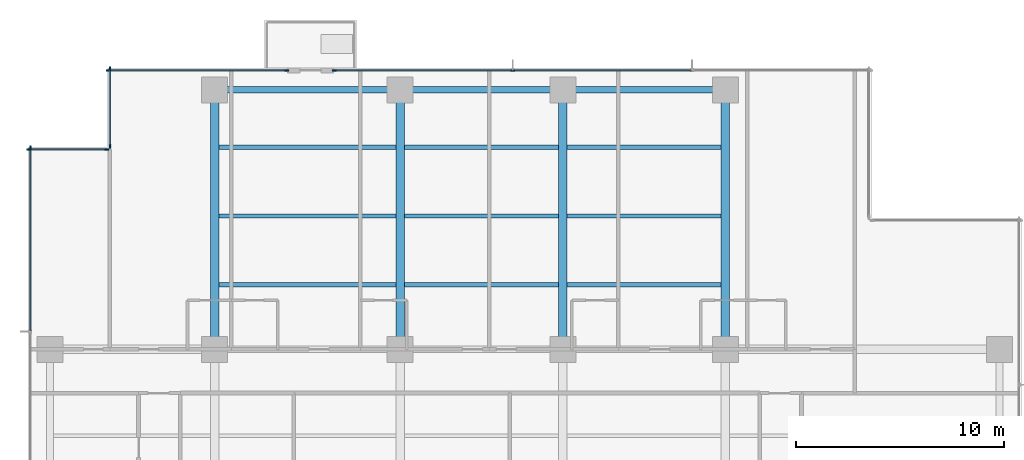
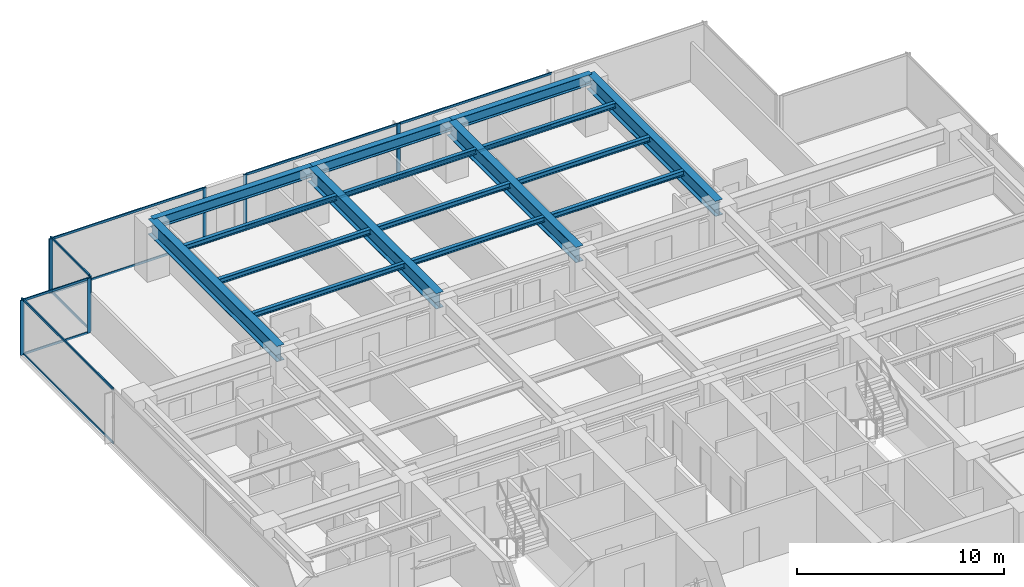
# One storey, part 5 of 17: 21 members, 16 beams, 5 elements without a shape of their own.
"""IFC4 building model written with IfcOpenShell, lengths in metres."""

from ifc_helpers import new_model, si_unit, direction, frame, origin, origin_2d, place, context, subcontext, project, spatial, rectangle, i_section, extrude, material, layer, layer_set, material_profile, profile_set, type_object, element, aggregate, save


model = new_model("IFC4")

# Units and contexts
model_context = context("Model", 3, precision=1e-05, world=origin(), true_north=direction((0.0, 1.0)))
body_context = subcontext(model_context, "Body", "Model", "MODEL_VIEW")
ifc_project = project(units=[si_unit("LENGTHUNIT", "METRE"), si_unit("AREAUNIT", "SQUARE_METRE"), si_unit("VOLUMEUNIT", "CUBIC_METRE"), si_unit("PLANEANGLEUNIT", "RADIAN"), si_unit("MASSUNIT", "GRAM", prefix="KILO")], contexts=[model_context])

# Site, building, storey
site_placement = place(None, origin())
site = spatial("IfcSite", under=ifc_project, at=site_placement, CompositionType="ELEMENT")
building_placement = place(site_placement, origin())
building = spatial("IfcBuilding", under=site, at=building_placement, Name="Qalmaran Belvedere Hotel", CompositionType="ELEMENT")
storey_placement = place(building_placement, frame((0.0, 0.0, 105.699951171875)))
storey = spatial("IfcBuildingStorey", under=building, at=storey_placement, Name="L26", CompositionType="ELEMENT", Elevation=105.699951171875)

# Beams
ifc_material_1 = material(Name="Steel S355JR", Category="steel")
ifc_material_profile_1 = material_profile(ifc_material_1, i_section(OverallWidth=0.202880859375, OverallDepth=0.302978515625, WebThickness=0.007568359375, FlangeThickness=0.01318359375, FilletRadius=0.012939453125, at=origin_2d()), Name="W310X60")
ifc_profile_set_1 = profile_set([ifc_material_profile_1], Name="Steel S355JR")
beam_type_1 = type_object("IfcBeamType", Name="BM-JST-W310X60", PredefinedType="JOIST", material=ifc_profile_set_1)
beam_1_placement = place(storey_placement, frame((20.507080078125, 36.10009765625, 3.088623046875), z_axis=(1.0, 0.0, 0.0), x_axis=(0.0, 1.0, 0.0)))
element("IfcBeam", 1, at=beam_1_placement, inside=storey, type_object=beam_type_1, Name="L26 North Floor Joist 042", PredefinedType="JOIST", context=body_context, shape_type="SweptSolid", body=[
    extrude(i_section(OverallWidth=0.202880859375, OverallDepth=0.302978515625, WebThickness=0.007568359375, FlangeThickness=0.01318359375, FilletRadius=0.012939453125, at=origin_2d()), origin(), (0.0, 0.0, 1.0), 8.48583984375),
])
for number, where, z_axis, x_axis, name in (
    (2, (29.406982421875, 36.10009765625, 3.088623046875), (1.0, 0.0, 0.0), (0.0, 1.0, 0.0), "L26 North Floor Joist 043"),
    (3, (37.20703125, 36.10009765625, 3.088623046875), (1.0, 0.0, 0.0), (0.0, 1.0, 0.0), "L26 North Floor Joist 044"),
):
    element("IfcBeam", number, at=place(storey_placement, frame(where, z_axis=z_axis, x_axis=x_axis)), inside=storey, type_object=beam_type_1, Name=name, PredefinedType="JOIST", context=body_context, shape_type="SweptSolid", body=[
        extrude(i_section(OverallWidth=0.202880859375, OverallDepth=0.302978515625, WebThickness=0.007568359375, FlangeThickness=0.01318359375, FilletRadius=0.012939453125, at=origin_2d()), origin(), (0.0, 0.0, 1.0), 7.385986328125),
    ])
beam_2_placement = place(storey_placement, frame((20.507080078125, 39.39990234375, 3.088623046875), z_axis=(1.0, 0.0, 0.0), x_axis=(0.0, 1.0, 0.0)))
element("IfcBeam", 4, at=beam_2_placement, inside=storey, type_object=beam_type_1, Name="L26 North Floor Joist 045", PredefinedType="JOIST", context=body_context, shape_type="SweptSolid", body=[
    extrude(i_section(OverallWidth=0.202880859375, OverallDepth=0.302978515625, WebThickness=0.007568359375, FlangeThickness=0.01318359375, FilletRadius=0.012939453125, at=origin_2d()), origin(), (0.0, 0.0, 1.0), 8.48583984375),
])
for number, where, z_axis, x_axis, name in (
    (5, (29.406982421875, 39.39990234375, 3.088623046875), (1.0, 0.0, 0.0), (0.0, 1.0, 0.0), "L26 North Floor Joist 046"),
    (6, (37.20703125, 39.39990234375, 3.088623046875), (1.0, 0.0, 0.0), (0.0, 1.0, 0.0), "L26 North Floor Joist 047"),
):
    element("IfcBeam", number, at=place(storey_placement, frame(where, z_axis=z_axis, x_axis=x_axis)), inside=storey, type_object=beam_type_1, Name=name, PredefinedType="JOIST", context=body_context, shape_type="SweptSolid", body=[
        extrude(i_section(OverallWidth=0.202880859375, OverallDepth=0.302978515625, WebThickness=0.007568359375, FlangeThickness=0.01318359375, FilletRadius=0.012939453125, at=origin_2d()), origin(), (0.0, 0.0, 1.0), 7.385986328125),
    ])
beam_3_placement = place(storey_placement, frame((20.507080078125, 42.699951171875, 3.088623046875), z_axis=(1.0, 0.0, 0.0), x_axis=(0.0, 1.0, 0.0)))
element("IfcBeam", 7, at=beam_3_placement, inside=storey, type_object=beam_type_1, Name="L26 North Floor Joist 048", PredefinedType="JOIST", context=body_context, shape_type="SweptSolid", body=[
    extrude(i_section(OverallWidth=0.202880859375, OverallDepth=0.302978515625, WebThickness=0.007568359375, FlangeThickness=0.01318359375, FilletRadius=0.012939453125, at=origin_2d()), origin(), (0.0, 0.0, 1.0), 8.48583984375),
])
for number, where, z_axis, x_axis, name in (
    (8, (29.406982421875, 42.699951171875, 3.088623046875), (1.0, 0.0, 0.0), (0.0, 1.0, 0.0), "L26 North Floor Joist 049"),
    (9, (37.20703125, 42.699951171875, 3.088623046875), (1.0, 0.0, 0.0), (0.0, 1.0, 0.0), "L26 North Floor Joist 050"),
):
    element("IfcBeam", number, at=place(storey_placement, frame(where, z_axis=z_axis, x_axis=x_axis)), inside=storey, type_object=beam_type_1, Name=name, PredefinedType="JOIST", context=body_context, shape_type="SweptSolid", body=[
        extrude(i_section(OverallWidth=0.202880859375, OverallDepth=0.302978515625, WebThickness=0.007568359375, FlangeThickness=0.01318359375, FilletRadius=0.012939453125, at=origin_2d()), origin(), (0.0, 0.0, 1.0), 7.385986328125),
    ])
ifc_material_profile_2 = material_profile(ifc_material_1, i_section(OverallWidth=0.41796875, OverallDepth=0.912109375, WebThickness=0.019287109375, FlangeThickness=0.031982421875, FilletRadius=0.02392578125, at=origin_2d()), Name="W920X342")
ifc_profile_set_2 = profile_set([ifc_material_profile_2], Name="Steel S355JR")
beam_type_2 = type_object("IfcBeamType", Name="BM-PG2-W920X342", PredefinedType="USERDEFINED", material=ifc_profile_set_2)
for number, where, z_axis, x_axis, name in (
    (10, (20.300048828125, 33.0, 2.783935546875), (0.0, 1.0, 0.0), (-1.0, 0.0, 0.0), "L26 North Bay Girder 15"),
    (11, (29.199951171875, 33.0, 2.783935546875), (0.0, 1.0, 0.0), (-1.0, 0.0, 0.0), "L26 North Bay Girder 17"),
    (12, (37.0, 33.0, 2.783935546875), (0.0, 1.0, 0.0), (-1.0, 0.0, 0.0), "L26 North Bay Girder 19"),
    (13, (44.800048828125, 33.0, 2.783935546875), (0.0, 1.0, 0.0), (-1.0, 0.0, 0.0), "L26 North Bay Girder 21"),
):
    element("IfcBeam", number, at=place(storey_placement, frame(where, z_axis=z_axis, x_axis=x_axis)), inside=storey, type_object=beam_type_2, Name=name, ObjectType="GIRDER", PredefinedType="USERDEFINED", context=body_context, shape_type="SweptSolid", body=[
        extrude(i_section(OverallWidth=0.41796875, OverallDepth=0.912109375, WebThickness=0.019287109375, FlangeThickness=0.031982421875, FilletRadius=0.02392578125, at=origin_2d()), origin(), (0.0, 0.0, 1.0), 12.449951171875),
    ])
ifc_material_profile_3 = material_profile(ifc_material_1, i_section(OverallWidth=0.326904296875, OverallDepth=0.6220703125, WebThickness=0.015380859375, FlangeThickness=0.0244140625, FilletRadius=0.02001953125, at=origin_2d()), Name="W610X195")
ifc_profile_set_3 = profile_set([ifc_material_profile_3], Name="Steel S355JR")
beam_type_3 = type_object("IfcBeamType", Name="BM-SP1-W610X195", PredefinedType="SPANDREL", material=ifc_profile_set_3)
beam_4_placement = place(storey_placement, frame((20.300048828125, 45.449951171875, 2.928955078125), z_axis=(1.0, 0.0, 0.0), x_axis=(0.0, 1.0, 0.0)))
element("IfcBeam", 14, at=beam_4_placement, inside=storey, type_object=beam_type_3, Name="L26 Perimeter Spandrel 05", PredefinedType="SPANDREL", context=body_context, shape_type="SweptSolid", body=[
    extrude(i_section(OverallWidth=0.326904296875, OverallDepth=0.6220703125, WebThickness=0.015380859375, FlangeThickness=0.0244140625, FilletRadius=0.02001953125, at=origin_2d()), origin(), (0.0, 0.0, 1.0), 8.89990234375),
])
for number, where, z_axis, x_axis, name in (
    (15, (29.199951171875, 45.449951171875, 2.928955078125), (1.0, 0.0, 0.0), (0.0, 1.0, 0.0), "L26 Perimeter Spandrel 06"),
    (16, (37.0, 45.449951171875, 2.928955078125), (1.0, 0.0, 0.0), (0.0, 1.0, 0.0), "L26 Perimeter Spandrel 07"),
):
    element("IfcBeam", number, at=place(storey_placement, frame(where, z_axis=z_axis, x_axis=x_axis)), inside=storey, type_object=beam_type_3, Name=name, PredefinedType="SPANDREL", context=body_context, shape_type="SweptSolid", body=[
        extrude(i_section(OverallWidth=0.326904296875, OverallDepth=0.6220703125, WebThickness=0.015380859375, FlangeThickness=0.0244140625, FilletRadius=0.02001953125, at=origin_2d()), origin(), (0.0, 0.0, 1.0), 7.800048828125),
    ])

# Curtain wall, members
ifc_material_2 = material(Name="Anodised Bronze Aluminium", Category="aluminium")
ifc_layer = layer(ifc_material_2, 0.199951171875, Name="Anodised Bronze Aluminium")
ifc_layer_set = layer_set([ifc_layer], Name="Anodised Bronze Aluminium")
curtain_wall_type = type_object("IfcCurtainWallType", Name="CW3-TOWER-LOWMID", PredefinedType="NOTDEFINED", material=ifc_layer_set)
curtain_wall_1_placement = place(storey_placement, origin())
curtain_wall_1 = element("IfcCurtainWall", 17, at=curtain_wall_1_placement, inside=storey, type_object=curtain_wall_type, Name="L26 Curtain Wall CW3", PredefinedType="NOTDEFINED")
ifc_material_profile_4 = material_profile(ifc_material_2, rectangle(XDim=0.070068359375, YDim=0.18994140625, at=origin_2d()), Name="CWM70X190")
ifc_profile_set_4 = profile_set([ifc_material_profile_4], Name="Anodised Bronze Aluminium")
member_type_1 = type_object("IfcMemberType", Name="CWM-70X190", PredefinedType="MULLION", material=ifc_profile_set_4)
member_1_placement = place(storey_placement, frame((23.764892578125, 46.3798828125, 0.0), z_axis=(0.0, 0.0, 1.0), x_axis=(0.0, -1.0, 0.0)))
member_1 = element("IfcMember", 18, at=member_1_placement, type_object=member_type_1, Name="CW3 mullion 1", PredefinedType="MULLION", context=body_context, shape_type="SweptSolid", body=[
    extrude(rectangle(XDim=0.070068359375, YDim=0.18994140625, at=origin_2d()), origin(), (0.0, 0.0, 1.0), 3.239990234375),
])
member_2_placement = place(storey_placement, frame((15.18505859375, 46.3798828125, 0.0), z_axis=(0.0, 0.0, 1.0), x_axis=(0.0, -1.0, 0.0)))
member_2 = element("IfcMember", 19, at=member_2_placement, type_object=member_type_1, Name="CW3 mullion 2", PredefinedType="MULLION", context=body_context, shape_type="SweptSolid", body=[
    extrude(rectangle(XDim=0.070068359375, YDim=0.18994140625, at=origin_2d()), origin(), (0.0, 0.0, 1.0), 3.239990234375),
])

curtain_wall_2_placement = place(storey_placement, origin())
curtain_wall_2 = element("IfcCurtainWall", 20, at=curtain_wall_2_placement, inside=storey, type_object=curtain_wall_type, Name="L26 Curtain Wall CW3", PredefinedType="NOTDEFINED")
member_3_placement = place(storey_placement, frame((34.60009765625, 46.3798828125, 0.0), z_axis=(0.0, 0.0, 1.0), x_axis=(0.0, -1.0, 0.0)))
member_3 = element("IfcMember", 21, at=member_3_placement, type_object=member_type_1, Name="CW3 mullion 3", PredefinedType="MULLION", context=body_context, shape_type="SweptSolid", body=[
    extrude(rectangle(XDim=0.070068359375, YDim=0.18994140625, at=origin_2d()), origin(), (0.0, 0.0, 1.0), 3.239990234375),
])
member_4_placement = place(storey_placement, frame((26.034912109375, 46.3798828125, 0.0), z_axis=(0.0, 0.0, 1.0), x_axis=(0.0, -1.0, 0.0)))
member_4 = element("IfcMember", 22, at=member_4_placement, type_object=member_type_1, Name="CW3 mullion 4", PredefinedType="MULLION", context=body_context, shape_type="SweptSolid", body=[
    extrude(rectangle(XDim=0.070068359375, YDim=0.18994140625, at=origin_2d()), origin(), (0.0, 0.0, 1.0), 3.239990234375),
])

curtain_wall_3_placement = place(storey_placement, origin())
curtain_wall_3 = element("IfcCurtainWall", 23, at=curtain_wall_3_placement, inside=storey, type_object=curtain_wall_type, Name="L26 Curtain Wall CW3", PredefinedType="NOTDEFINED")
member_5_placement = place(storey_placement, frame((15.27001953125, 46.465087890625, 0.0), z_axis=(0.0, 0.0, 1.0), x_axis=(1.0, 0.0, 0.0)))
member_5 = element("IfcMember", 24, at=member_5_placement, type_object=member_type_1, Name="CW3 mullion 1", PredefinedType="MULLION", context=body_context, shape_type="SweptSolid", body=[
    extrude(rectangle(XDim=0.070068359375, YDim=0.18994140625, at=origin_2d()), origin(), (0.0, 0.0, 1.0), 3.239990234375),
])
member_6_placement = place(storey_placement, frame((15.27001953125, 42.735107421875, 0.0), z_axis=(0.0, 0.0, 1.0), x_axis=(1.0, 0.0, 0.0)))
member_6 = element("IfcMember", 25, at=member_6_placement, type_object=member_type_1, Name="CW3 mullion 2", PredefinedType="MULLION", context=body_context, shape_type="SweptSolid", body=[
    extrude(rectangle(XDim=0.070068359375, YDim=0.18994140625, at=origin_2d()), origin(), (0.0, 0.0, 1.0), 3.239990234375),
])

curtain_wall_4_placement = place(storey_placement, origin())
curtain_wall_4 = element("IfcCurtainWall", 26, at=curtain_wall_4_placement, inside=storey, type_object=curtain_wall_type, Name="L26 Curtain Wall CW3", PredefinedType="NOTDEFINED")
member_7_placement = place(storey_placement, frame((15.114990234375, 42.580078125, 0.0), z_axis=(0.0, 0.0, 1.0), x_axis=(0.0, -1.0, 0.0)))
member_7 = element("IfcMember", 27, at=member_7_placement, type_object=member_type_1, Name="CW3 mullion 1", PredefinedType="MULLION", context=body_context, shape_type="SweptSolid", body=[
    extrude(rectangle(XDim=0.070068359375, YDim=0.18994140625, at=origin_2d()), origin(), (0.0, 0.0, 1.0), 3.239990234375),
])
member_8_placement = place(storey_placement, frame((11.385009765625, 42.580078125, 0.0), z_axis=(0.0, 0.0, 1.0), x_axis=(0.0, -1.0, 0.0)))
member_8 = element("IfcMember", 28, at=member_8_placement, type_object=member_type_1, Name="CW3 mullion 2", PredefinedType="MULLION", context=body_context, shape_type="SweptSolid", body=[
    extrude(rectangle(XDim=0.070068359375, YDim=0.18994140625, at=origin_2d()), origin(), (0.0, 0.0, 1.0), 3.239990234375),
])

# Curtain wall, member
curtain_wall_5_placement = place(storey_placement, origin())
curtain_wall_5 = element("IfcCurtainWall", 29, at=curtain_wall_5_placement, inside=storey, type_object=curtain_wall_type, Name="L26 Curtain Wall CW3", PredefinedType="NOTDEFINED")
member_9_placement = place(storey_placement, frame((11.469970703125, 42.6650390625, 0.0), z_axis=(0.0, 0.0, 1.0), x_axis=(1.0, 0.0, 0.0)))
member_9 = element("IfcMember", 30, at=member_9_placement, type_object=member_type_1, Name="CW3 mullion 1", PredefinedType="MULLION", context=body_context, shape_type="SweptSolid", body=[
    extrude(rectangle(XDim=0.070068359375, YDim=0.18994140625, at=origin_2d()), origin(), (0.0, 0.0, 1.0), 3.239990234375),
])

# Member
ifc_material_profile_5 = material_profile(ifc_material_2, rectangle(XDim=0.06494140625, YDim=0.1298828125, at=origin_2d()), Name="CWT65X130")
ifc_profile_set_5 = profile_set([ifc_material_profile_5], Name="Anodised Bronze Aluminium")
member_type_2 = type_object("IfcMemberType", Name="CWT-65X130", PredefinedType="USERDEFINED", material=ifc_profile_set_5)
member_10_placement = place(storey_placement, frame((23.72998046875, 46.3798828125, 0.032470703125), z_axis=(-1.0, 0.0, 0.0), x_axis=(0.0, -1.0, 0.0)))
member_10 = element("IfcMember", 31, at=member_10_placement, type_object=member_type_2, Name="CW3 transom 1.1", ObjectType="TRANSOM", PredefinedType="USERDEFINED", context=body_context, shape_type="SweptSolid", body=[
    extrude(rectangle(XDim=0.06494140625, YDim=0.1298828125, at=origin_2d()), origin(), (0.0, 0.0, 1.0), 8.510009765625),
])

member_11_placement = place(storey_placement, frame((23.72998046875, 46.3798828125, 3.20751953125), z_axis=(-1.0, 0.0, 0.0), x_axis=(0.0, -1.0, 0.0)))
member_11 = element("IfcMember", 32, at=member_11_placement, type_object=member_type_2, Name="CW3 transom 1.2", ObjectType="TRANSOM", PredefinedType="USERDEFINED", context=body_context, shape_type="SweptSolid", body=[
    extrude(rectangle(XDim=0.06494140625, YDim=0.1298828125, at=origin_2d()), origin(), (0.0, 0.0, 1.0), 8.510009765625),
])

aggregate(curtain_wall_1, [member_1, member_2, member_10, member_11])

member_12_placement = place(storey_placement, frame((43.1650390625, 46.3798828125, 0.032470703125), z_axis=(-1.0, 0.0, 0.0), x_axis=(0.0, -1.0, 0.0)))
member_12 = element("IfcMember", 33, at=member_12_placement, type_object=member_type_2, Name="CW3 transom 2.1", ObjectType="TRANSOM", PredefinedType="USERDEFINED", context=body_context, shape_type="SweptSolid", body=[
    extrude(rectangle(XDim=0.06494140625, YDim=0.1298828125, at=origin_2d()), origin(), (0.0, 0.0, 1.0), 8.530029296875),
])

member_13_placement = place(storey_placement, frame((43.1650390625, 46.3798828125, 3.20751953125), z_axis=(-1.0, 0.0, 0.0), x_axis=(0.0, -1.0, 0.0)))
member_13 = element("IfcMember", 34, at=member_13_placement, type_object=member_type_2, Name="CW3 transom 2.2", ObjectType="TRANSOM", PredefinedType="USERDEFINED", context=body_context, shape_type="SweptSolid", body=[
    extrude(rectangle(XDim=0.06494140625, YDim=0.1298828125, at=origin_2d()), origin(), (0.0, 0.0, 1.0), 8.530029296875),
])

member_14_placement = place(storey_placement, frame((34.56494140625, 46.3798828125, 0.032470703125), z_axis=(-1.0, 0.0, 0.0), x_axis=(0.0, -1.0, 0.0)))
member_14 = element("IfcMember", 35, at=member_14_placement, type_object=member_type_2, Name="CW3 transom 3.1", ObjectType="TRANSOM", PredefinedType="USERDEFINED", context=body_context, shape_type="SweptSolid", body=[
    extrude(rectangle(XDim=0.06494140625, YDim=0.1298828125, at=origin_2d()), origin(), (0.0, 0.0, 1.0), 8.494873046875),
])

member_15_placement = place(storey_placement, frame((34.56494140625, 46.3798828125, 3.20751953125), z_axis=(-1.0, 0.0, 0.0), x_axis=(0.0, -1.0, 0.0)))
member_15 = element("IfcMember", 36, at=member_15_placement, type_object=member_type_2, Name="CW3 transom 3.2", ObjectType="TRANSOM", PredefinedType="USERDEFINED", context=body_context, shape_type="SweptSolid", body=[
    extrude(rectangle(XDim=0.06494140625, YDim=0.1298828125, at=origin_2d()), origin(), (0.0, 0.0, 1.0), 8.494873046875),
])

aggregate(curtain_wall_2, [member_3, member_4, member_12, member_13, member_14, member_15])

member_16_placement = place(storey_placement, frame((15.27001953125, 46.429931640625, 0.032470703125), z_axis=(0.0, -1.0, 0.0), x_axis=(1.0, 0.0, 0.0)))
member_16 = element("IfcMember", 37, at=member_16_placement, type_object=member_type_2, Name="CW3 transom 1.1", ObjectType="TRANSOM", PredefinedType="USERDEFINED", context=body_context, shape_type="SweptSolid", body=[
    extrude(rectangle(XDim=0.06494140625, YDim=0.1298828125, at=origin_2d()), origin(), (0.0, 0.0, 1.0), 3.659912109375),
])

member_17_placement = place(storey_placement, frame((15.27001953125, 46.429931640625, 3.20751953125), z_axis=(0.0, -1.0, 0.0), x_axis=(1.0, 0.0, 0.0)))
member_17 = element("IfcMember", 38, at=member_17_placement, type_object=member_type_2, Name="CW3 transom 1.2", ObjectType="TRANSOM", PredefinedType="USERDEFINED", context=body_context, shape_type="SweptSolid", body=[
    extrude(rectangle(XDim=0.06494140625, YDim=0.1298828125, at=origin_2d()), origin(), (0.0, 0.0, 1.0), 3.659912109375),
])

aggregate(curtain_wall_3, [member_5, member_6, member_16, member_17])

member_18_placement = place(storey_placement, frame((15.080078125, 42.580078125, 0.032470703125), z_axis=(-1.0, 0.0, 0.0), x_axis=(0.0, -1.0, 0.0)))
member_18 = element("IfcMember", 39, at=member_18_placement, type_object=member_type_2, Name="CW3 transom 1.1", ObjectType="TRANSOM", PredefinedType="USERDEFINED", context=body_context, shape_type="SweptSolid", body=[
    extrude(rectangle(XDim=0.06494140625, YDim=0.1298828125, at=origin_2d()), origin(), (0.0, 0.0, 1.0), 3.66015625),
])

member_19_placement = place(storey_placement, frame((15.080078125, 42.580078125, 3.20751953125), z_axis=(-1.0, 0.0, 0.0), x_axis=(0.0, -1.0, 0.0)))
member_19 = element("IfcMember", 40, at=member_19_placement, type_object=member_type_2, Name="CW3 transom 1.2", ObjectType="TRANSOM", PredefinedType="USERDEFINED", context=body_context, shape_type="SweptSolid", body=[
    extrude(rectangle(XDim=0.06494140625, YDim=0.1298828125, at=origin_2d()), origin(), (0.0, 0.0, 1.0), 3.66015625),
])

aggregate(curtain_wall_4, [member_7, member_8, member_18, member_19])

member_20_placement = place(storey_placement, frame((11.469970703125, 42.6298828125, 0.032470703125), z_axis=(0.0, -1.0, 0.0), x_axis=(1.0, 0.0, 0.0)))
member_20 = element("IfcMember", 41, at=member_20_placement, type_object=member_type_2, Name="CW3 transom 1.1", ObjectType="TRANSOM", PredefinedType="USERDEFINED", context=body_context, shape_type="SweptSolid", body=[
    extrude(rectangle(XDim=0.06494140625, YDim=0.1298828125, at=origin_2d()), origin(), (0.0, 0.0, 1.0), 8.744873046875),
])

member_21_placement = place(storey_placement, frame((11.469970703125, 42.6298828125, 3.20751953125), z_axis=(0.0, -1.0, 0.0), x_axis=(1.0, 0.0, 0.0)))
member_21 = element("IfcMember", 42, at=member_21_placement, type_object=member_type_2, Name="CW3 transom 1.2", ObjectType="TRANSOM", PredefinedType="USERDEFINED", context=body_context, shape_type="SweptSolid", body=[
    extrude(rectangle(XDim=0.06494140625, YDim=0.1298828125, at=origin_2d()), origin(), (0.0, 0.0, 1.0), 8.744873046875),
])

aggregate(curtain_wall_5, [member_9, member_20, member_21])

save(model, "model.ifc")
